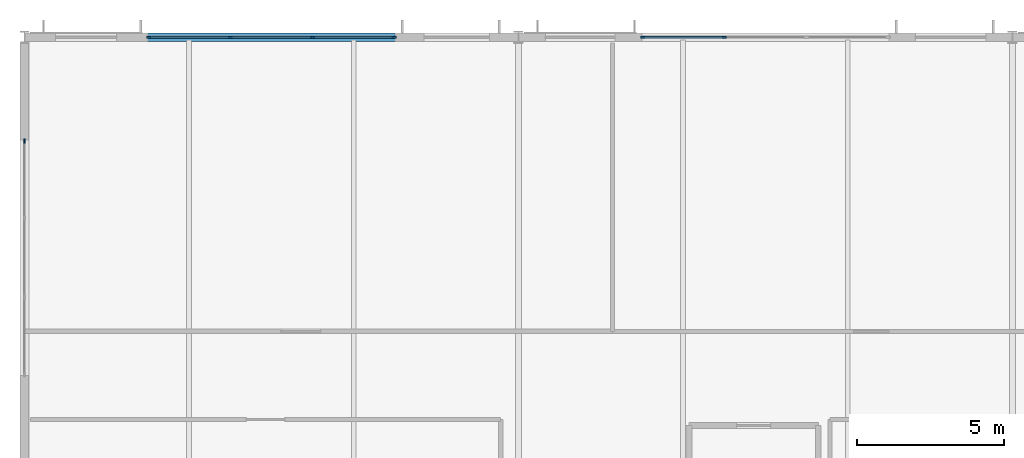
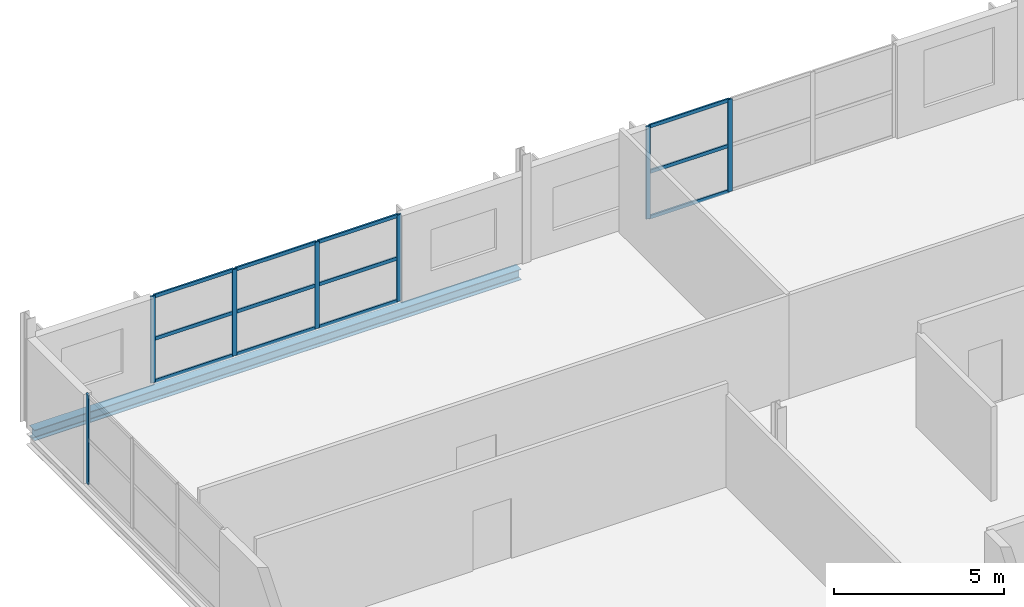
# One storey, part 14 of 36: 19 members, 1 beam, 3 elements without a shape of their own.
"""IFC4 building model written with IfcOpenShell, lengths in metres."""

from ifc_helpers import new_model, si_unit, direction, frame, origin, origin_2d, place, context, subcontext, project, spatial, rectangle, i_section, extrude, material, material_profile, profile_set, type_object, element, aggregate, save


model = new_model("IFC4")

# Units and contexts
model_context = context("Model", 3, precision=1e-05, world=origin(), true_north=direction((0.0, 1.0)))
body_context = subcontext(model_context, "Body", "Model", "MODEL_VIEW")
ifc_project = project(units=[si_unit("LENGTHUNIT", "METRE"), si_unit("AREAUNIT", "SQUARE_METRE"), si_unit("VOLUMEUNIT", "CUBIC_METRE"), si_unit("PLANEANGLEUNIT", "RADIAN"), si_unit("MASSUNIT", "GRAM", prefix="KILO")], contexts=[model_context])

# Site, building, storey
site_placement = place(None, origin())
site = spatial("IfcSite", under=ifc_project, at=site_placement, CompositionType="ELEMENT")
building_placement = place(site_placement, origin())
building = spatial("IfcBuilding", under=site, at=building_placement, Name="Kimbaza Rail Terminus", CompositionType="ELEMENT")
storey_placement = place(building_placement, frame((0.0, 0.0, 21.0)))
storey = spatial("IfcBuildingStorey", under=building, at=storey_placement, Name="L04", CompositionType="ELEMENT", Elevation=21.0)

# Curtain wall, members
ifc_material_1 = material(Name="Anodised aluminium framing and solar low-E glazing", Category="aluminium")
curtain_wall_type = type_object("IfcCurtainWallType", Name="ARC-CW-OP2", PredefinedType="USERDEFINED", material=ifc_material_1)
curtain_wall_1_placement = place(storey_placement, origin())
curtain_wall_1 = element("IfcCurtainWall", 1, at=curtain_wall_1_placement, inside=storey, type_object=curtain_wall_type, Name="Operations North Curtain Wall L04 Bay 1", ObjectType="STICK CURTAIN WALL", PredefinedType="USERDEFINED")
ifc_material_2 = material(Name="Anodised architectural aluminium", Category="aluminium")
ifc_material_profile_1 = material_profile(ifc_material_2, rectangle(XDim=0.05810546875, YDim=0.14990234375, at=origin_2d()), Name="MULLION 58x150")
ifc_profile_set_1 = profile_set([ifc_material_profile_1], Name="Anodised architectural aluminium")
member_type_1 = type_object("IfcMemberType", Name="ARC-CWM-06", PredefinedType="MULLION", material=ifc_profile_set_1)
member_1_placement = place(storey_placement, frame((59.428955078125, 133.0, 0.0), z_axis=(0.0, 0.0, 1.0), x_axis=(0.0, 1.0, 0.0)))
member_1 = element("IfcMember", 2, at=member_1_placement, type_object=member_type_1, Name="CW-06 mullion 1", PredefinedType="MULLION", context=body_context, shape_type="SweptSolid", body=[
    extrude(rectangle(XDim=0.05810546875, YDim=0.14990234375, at=origin_2d()), origin(), (0.0, 0.0, 1.0), 3.10498046875),
])
member_2_placement = place(storey_placement, frame((62.199951171875, 133.0, 0.0), z_axis=(0.0, 0.0, 1.0), x_axis=(0.0, 1.0, 0.0)))
member_2 = element("IfcMember", 3, at=member_2_placement, type_object=member_type_1, Name="CW-06 mullion 2", PredefinedType="MULLION", context=body_context, shape_type="SweptSolid", body=[
    extrude(rectangle(XDim=0.05810546875, YDim=0.14990234375, at=origin_2d()), origin(), (0.0, 0.0, 1.0), 3.10498046875),
])
member_3_placement = place(storey_placement, frame((65.0, 133.0, 0.0), z_axis=(0.0, 0.0, 1.0), x_axis=(0.0, 1.0, 0.0)))
member_3 = element("IfcMember", 4, at=member_3_placement, type_object=member_type_1, Name="CW-06 mullion 3", PredefinedType="MULLION", context=body_context, shape_type="SweptSolid", body=[
    extrude(rectangle(XDim=0.05810546875, YDim=0.14990234375, at=origin_2d()), origin(), (0.0, 0.0, 1.0), 3.10498046875),
])
member_4_placement = place(storey_placement, frame((67.77099609375, 133.0, 0.0), z_axis=(0.0, 0.0, 1.0), x_axis=(0.0, 1.0, 0.0)))
member_4 = element("IfcMember", 5, at=member_4_placement, type_object=member_type_1, Name="CW-06 mullion 4", PredefinedType="MULLION", context=body_context, shape_type="SweptSolid", body=[
    extrude(rectangle(XDim=0.05810546875, YDim=0.14990234375, at=origin_2d()), origin(), (0.0, 0.0, 1.0), 3.10498046875),
])

curtain_wall_2_placement = place(storey_placement, origin())
curtain_wall_2 = element("IfcCurtainWall", 6, at=curtain_wall_2_placement, inside=storey, type_object=curtain_wall_type, Name="Operations North Curtain Wall L04 Bay 2", ObjectType="STICK CURTAIN WALL", PredefinedType="USERDEFINED")
member_5_placement = place(storey_placement, frame((76.22900390625, 133.0, 0.0), z_axis=(0.0, 0.0, 1.0), x_axis=(0.0, 1.0, 0.0)))
member_5 = element("IfcMember", 7, at=member_5_placement, type_object=member_type_1, Name="CW-06 mullion 1", PredefinedType="MULLION", context=body_context, shape_type="SweptSolid", body=[
    extrude(rectangle(XDim=0.05810546875, YDim=0.14990234375, at=origin_2d()), origin(), (0.0, 0.0, 1.0), 3.31494140625),
])
member_6_placement = place(storey_placement, frame((79.0, 133.0, 0.0), z_axis=(0.0, 0.0, 1.0), x_axis=(0.0, 1.0, 0.0)))
member_6 = element("IfcMember", 8, at=member_6_placement, type_object=member_type_1, Name="CW-06 mullion 2", PredefinedType="MULLION", context=body_context, shape_type="SweptSolid", body=[
    extrude(rectangle(XDim=0.05810546875, YDim=0.14990234375, at=origin_2d()), origin(), (0.0, 0.0, 1.0), 3.31494140625),
])

# Curtain wall, member
curtain_wall_3_placement = place(storey_placement, origin())
curtain_wall_3 = element("IfcCurtainWall", 9, at=curtain_wall_3_placement, inside=storey, type_object=curtain_wall_type, Name="Operations W Curtain Wall L04.2", ObjectType="STICK CURTAIN WALL", PredefinedType="USERDEFINED")
member_7_placement = place(storey_placement, frame((55.199951171875, 129.470947265625, 0.0), z_axis=(0.0, 0.0, 1.0), x_axis=(-1.0, 0.0, 0.0)))
member_7 = element("IfcMember", 10, at=member_7_placement, type_object=member_type_1, Name="CW-06 mullion 4", PredefinedType="MULLION", context=body_context, shape_type="SweptSolid", body=[
    extrude(rectangle(XDim=0.05810546875, YDim=0.14990234375, at=origin_2d()), origin(), (0.0, 0.0, 1.0), 3.205078125),
])
aggregate(curtain_wall_3, [member_7])

# Member
ifc_material_3 = material(Name="Anodised architectural aluminium", Category="aluminium")
ifc_material_profile_2 = material_profile(ifc_material_3, rectangle(XDim=0.05810546875, YDim=0.125, at=origin_2d()), Name="TRANSOM 58x125")
ifc_profile_set_2 = profile_set([ifc_material_profile_2], Name="Anodised architectural aluminium")
member_type_2 = type_object("IfcMemberType", Name="ARC-CWT-06", PredefinedType="USERDEFINED", material=ifc_profile_set_2)
member_8_placement = place(storey_placement, frame((59.4580078125, 133.0, 0.029052734375), z_axis=(1.0, 0.0, 0.0), x_axis=(0.0, 1.0, 0.0)))
member_8 = element("IfcMember", 11, at=member_8_placement, type_object=member_type_2, Name="CW-06 transom 1.1", ObjectType="TRANSOM", PredefinedType="USERDEFINED", context=body_context, shape_type="SweptSolid", body=[
    extrude(rectangle(XDim=0.05810546875, YDim=0.125, at=origin_2d()), origin(), (0.0, 0.0, 1.0), 2.712890625),
])

member_9_placement = place(storey_placement, frame((59.4580078125, 133.0, 1.552490234375), z_axis=(1.0, 0.0, 0.0), x_axis=(0.0, 1.0, 0.0)))
member_9 = element("IfcMember", 12, at=member_9_placement, type_object=member_type_2, Name="CW-06 transom 1.2", ObjectType="TRANSOM", PredefinedType="USERDEFINED", context=body_context, shape_type="SweptSolid", body=[
    extrude(rectangle(XDim=0.05810546875, YDim=0.125, at=origin_2d()), origin(), (0.0, 0.0, 1.0), 2.712890625),
])

member_10_placement = place(storey_placement, frame((59.4580078125, 133.0, 3.075927734375), z_axis=(1.0, 0.0, 0.0), x_axis=(0.0, 1.0, 0.0)))
member_10 = element("IfcMember", 13, at=member_10_placement, type_object=member_type_2, Name="CW-06 transom 1.3", ObjectType="TRANSOM", PredefinedType="USERDEFINED", context=body_context, shape_type="SweptSolid", body=[
    extrude(rectangle(XDim=0.05810546875, YDim=0.125, at=origin_2d()), origin(), (0.0, 0.0, 1.0), 2.712890625),
])

member_11_placement = place(storey_placement, frame((62.22900390625, 133.0, 0.029052734375), z_axis=(1.0, 0.0, 0.0), x_axis=(0.0, 1.0, 0.0)))
member_11 = element("IfcMember", 14, at=member_11_placement, type_object=member_type_2, Name="CW-06 transom 2.1", ObjectType="TRANSOM", PredefinedType="USERDEFINED", context=body_context, shape_type="SweptSolid", body=[
    extrude(rectangle(XDim=0.05810546875, YDim=0.125, at=origin_2d()), origin(), (0.0, 0.0, 1.0), 2.741943359375),
])

member_12_placement = place(storey_placement, frame((62.22900390625, 133.0, 1.552490234375), z_axis=(1.0, 0.0, 0.0), x_axis=(0.0, 1.0, 0.0)))
member_12 = element("IfcMember", 15, at=member_12_placement, type_object=member_type_2, Name="CW-06 transom 2.2", ObjectType="TRANSOM", PredefinedType="USERDEFINED", context=body_context, shape_type="SweptSolid", body=[
    extrude(rectangle(XDim=0.05810546875, YDim=0.125, at=origin_2d()), origin(), (0.0, 0.0, 1.0), 2.741943359375),
])

member_13_placement = place(storey_placement, frame((62.22900390625, 133.0, 3.075927734375), z_axis=(1.0, 0.0, 0.0), x_axis=(0.0, 1.0, 0.0)))
member_13 = element("IfcMember", 16, at=member_13_placement, type_object=member_type_2, Name="CW-06 transom 2.3", ObjectType="TRANSOM", PredefinedType="USERDEFINED", context=body_context, shape_type="SweptSolid", body=[
    extrude(rectangle(XDim=0.05810546875, YDim=0.125, at=origin_2d()), origin(), (0.0, 0.0, 1.0), 2.741943359375),
])

member_14_placement = place(storey_placement, frame((65.029052734375, 133.0, 0.029052734375), z_axis=(1.0, 0.0, 0.0), x_axis=(0.0, 1.0, 0.0)))
member_14 = element("IfcMember", 17, at=member_14_placement, type_object=member_type_2, Name="CW-06 transom 3.1", ObjectType="TRANSOM", PredefinedType="USERDEFINED", context=body_context, shape_type="SweptSolid", body=[
    extrude(rectangle(XDim=0.05810546875, YDim=0.125, at=origin_2d()), origin(), (0.0, 0.0, 1.0), 2.712890625),
])

member_15_placement = place(storey_placement, frame((65.029052734375, 133.0, 1.552490234375), z_axis=(1.0, 0.0, 0.0), x_axis=(0.0, 1.0, 0.0)))
member_15 = element("IfcMember", 18, at=member_15_placement, type_object=member_type_2, Name="CW-06 transom 3.2", ObjectType="TRANSOM", PredefinedType="USERDEFINED", context=body_context, shape_type="SweptSolid", body=[
    extrude(rectangle(XDim=0.05810546875, YDim=0.125, at=origin_2d()), origin(), (0.0, 0.0, 1.0), 2.712890625),
])

member_16_placement = place(storey_placement, frame((65.029052734375, 133.0, 3.075927734375), z_axis=(1.0, 0.0, 0.0), x_axis=(0.0, 1.0, 0.0)))
member_16 = element("IfcMember", 19, at=member_16_placement, type_object=member_type_2, Name="CW-06 transom 3.3", ObjectType="TRANSOM", PredefinedType="USERDEFINED", context=body_context, shape_type="SweptSolid", body=[
    extrude(rectangle(XDim=0.05810546875, YDim=0.125, at=origin_2d()), origin(), (0.0, 0.0, 1.0), 2.712890625),
])

aggregate(curtain_wall_1, [member_1, member_2, member_3, member_4, member_8, member_9, member_10, member_11, member_12, member_13, member_14, member_15, member_16])

member_17_placement = place(storey_placement, frame((76.258056640625, 133.0, 0.029052734375), z_axis=(1.0, 0.0, 0.0), x_axis=(0.0, 1.0, 0.0)))
member_17 = element("IfcMember", 20, at=member_17_placement, type_object=member_type_2, Name="CW-06 transom 1.1", ObjectType="TRANSOM", PredefinedType="USERDEFINED", context=body_context, shape_type="SweptSolid", body=[
    extrude(rectangle(XDim=0.05810546875, YDim=0.125, at=origin_2d()), origin(), (0.0, 0.0, 1.0), 2.712890625),
])

member_18_placement = place(storey_placement, frame((76.258056640625, 133.0, 1.657470703125), z_axis=(1.0, 0.0, 0.0), x_axis=(0.0, 1.0, 0.0)))
member_18 = element("IfcMember", 21, at=member_18_placement, type_object=member_type_2, Name="CW-06 transom 1.2", ObjectType="TRANSOM", PredefinedType="USERDEFINED", context=body_context, shape_type="SweptSolid", body=[
    extrude(rectangle(XDim=0.05810546875, YDim=0.125, at=origin_2d()), origin(), (0.0, 0.0, 1.0), 2.712890625),
])

member_19_placement = place(storey_placement, frame((76.258056640625, 133.0, 3.285888671875), z_axis=(1.0, 0.0, 0.0), x_axis=(0.0, 1.0, 0.0)))
member_19 = element("IfcMember", 22, at=member_19_placement, type_object=member_type_2, Name="CW-06 transom 1.3", ObjectType="TRANSOM", PredefinedType="USERDEFINED", context=body_context, shape_type="SweptSolid", body=[
    extrude(rectangle(XDim=0.05810546875, YDim=0.125, at=origin_2d()), origin(), (0.0, 0.0, 1.0), 2.712890625),
])

aggregate(curtain_wall_2, [member_5, member_6, member_17, member_18, member_19])

# Beam
ifc_material_4 = material(Name="Steel S355", Category="steel")
ifc_material_profile_3 = material_profile(ifc_material_4, i_section(OverallWidth=0.300048828125, OverallDepth=0.389892578125, WebThickness=0.010986328125, FlangeThickness=0.01904296875, FilletRadius=0.027099609375, at=origin_2d()), Name="HEA 400")
ifc_profile_set_3 = profile_set([ifc_material_profile_3], Name="Steel S355")
beam_type = type_object("IfcBeamType", Name="STR-BM-HEA400", PredefinedType="SPANDREL", material=ifc_profile_set_3)
beam_placement = place(storey_placement, frame((55.345947265625, 133.0, -0.39501953125), z_axis=(1.0, 0.0, 0.0), x_axis=(0.0, 1.0, 0.0)))
element("IfcBeam", 23, at=beam_placement, inside=storey, type_object=beam_type, Name="Operations Girder L04 X0-Y2", PredefinedType="SPANDREL", context=body_context, shape_type="SweptSolid", body=[
    extrude(i_section(OverallWidth=0.300048828125, OverallDepth=0.389892578125, WebThickness=0.010986328125, FlangeThickness=0.01904296875, FilletRadius=0.027099609375, at=origin_2d()), origin(), (0.0, 0.0, 1.0), 16.508056640625),
])

save(model, "model.ifc")
